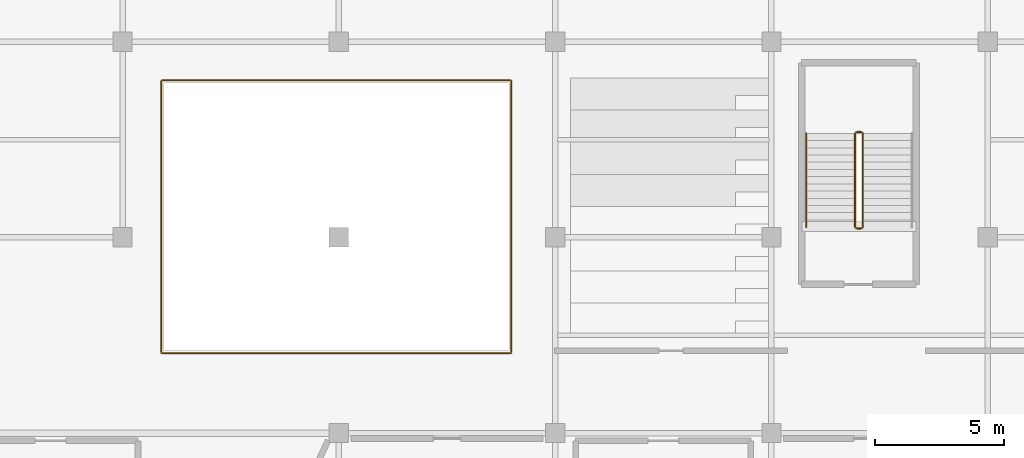
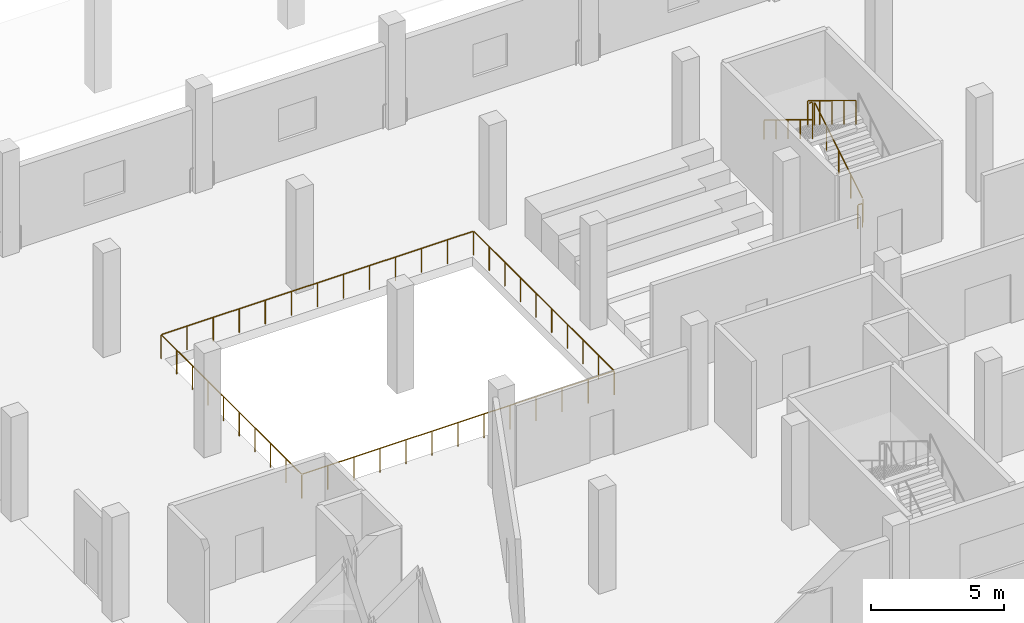
# One storey, part 39 of 51: 6 railings.
"""IFC4 building model written with IfcOpenShell, lengths in metres."""

from ifc_helpers import new_model, si_unit, direction, frame, origin, origin_2d, place, context, subcontext, project, spatial, circle, extrude, material, type_object, element, save


model = new_model("IFC4")

# Units and contexts
model_context = context("Model", 3, precision=1e-05, world=origin(), true_north=direction((0.0, 1.0)))
body_context = subcontext(model_context, "Body", "Model", "MODEL_VIEW")
ifc_project = project(units=[si_unit("LENGTHUNIT", "METRE"), si_unit("AREAUNIT", "SQUARE_METRE"), si_unit("VOLUMEUNIT", "CUBIC_METRE"), si_unit("PLANEANGLEUNIT", "RADIAN"), si_unit("MASSUNIT", "GRAM", prefix="KILO")], contexts=[model_context])

# Site, building, storey
site_placement = place(None, origin())
site = spatial("IfcSite", under=ifc_project, at=site_placement, CompositionType="ELEMENT")
building_placement = place(site_placement, origin())
building = spatial("IfcBuilding", under=site, at=building_placement, Name="Zuvorla Pavilion Media Centre", CompositionType="ELEMENT")
storey_placement = place(building_placement, frame((0.0, 0.0, 4.800048828125)))
storey = spatial("IfcBuildingStorey", under=building, at=storey_placement, Name="L01", CompositionType="ELEMENT", Elevation=4.800048828125)

# Railings
ifc_material_1 = material(Name="Powder-coated steel balustrade guard", Category="steel")
railing_type_1 = type_object("IfcRailingType", Name="RL-INT-GRD", PredefinedType="BALUSTRADE", material=ifc_material_1)
railing_1_placement = place(storey_placement, frame((103.949951171875, 29.199951171875, 0.17138671875)))
element("IfcRailing", 1, at=railing_1_placement, inside=storey, type_object=railing_type_1, Name="L01 ST-04 stair guard 1", PredefinedType="BALUSTRADE", context=body_context, shape_type="SweptSolid", body=[
    extrude(circle(Radius=0.02392578125, at=origin_2d()), frame((0.0, 0.024658203125, 1.111083984375), z_axis=(0.0, 0.852865859571, 0.52213008492), x_axis=(-1.0, 0.0, 0.0)), (0.0, 0.0, 1.0), 4.21044921875),
    extrude(circle(Radius=0.02099609375, at=origin_2d()), origin(), (0.0, 0.0, 1.0), 1.070068359375),
    extrude(circle(Radius=0.02099609375, at=origin_2d()), frame((0.0, 0.91015625, 0.55712890625)), (0.0, 0.0, 1.0), 1.070068359375),
    extrude(circle(Radius=0.02099609375, at=origin_2d()), frame((0.0, 1.820068359375, 1.1142578125)), (0.0, 0.0, 1.0), 1.070068359375),
    extrude(circle(Radius=0.02099609375, at=origin_2d()), frame((0.0, 2.72998046875, 1.67138671875)), (0.0, 0.0, 1.0), 1.070068359375),
    extrude(circle(Radius=0.02099609375, at=origin_2d()), frame((0.0, 3.64013671875, 2.228515625)), (0.0, 0.0, 1.0), 1.070068359375),
])
railing_2_placement = place(storey_placement, frame((103.89990234375, 32.889892578125, 2.39990234375)))
element("IfcRailing", 2, at=railing_2_placement, inside=storey, type_object=railing_type_1, Name="L01 ST-04 stair guard 2", PredefinedType="BALUSTRADE", context=body_context, shape_type="SweptSolid", body=[
    extrude(circle(Radius=0.02392578125, at=origin_2d()), frame((-0.02880859375, 0.0, 1.09619140625), z_axis=(-1.0, 0.0, 0.0), x_axis=(0.0, -1.0, 0.0)), (0.0, 0.0, 1.0), 0.142333984375),
    extrude(circle(Radius=0.02099609375, at=origin_2d()), origin(), (0.0, 0.0, 1.0), 1.070068359375),
    extrude(circle(Radius=0.02099609375, at=origin_2d()), frame((-0.199951171875, 0.0, 0.0)), (0.0, 0.0, 1.0), 1.070068359375),
])
railing_3_placement = place(storey_placement, frame((103.64990234375, 32.840087890625, 2.5712890625)))
element("IfcRailing", 3, at=railing_3_placement, inside=storey, type_object=railing_type_1, Name="L01 ST-04 stair guard 3", PredefinedType="BALUSTRADE", context=body_context, shape_type="SweptSolid", body=[
    extrude(circle(Radius=0.02392578125, at=origin_2d()), frame((0.0, -0.024658203125, 1.111083984375), z_axis=(0.0, -0.852840387347, 0.522171689878), x_axis=(1.0, 0.0, 0.0)), (0.0, 0.0, 1.0), 4.21044921875),
    extrude(circle(Radius=0.02099609375, at=origin_2d()), origin(), (0.0, 0.0, 1.0), 1.070068359375),
    extrude(circle(Radius=0.02099609375, at=origin_2d()), frame((0.0, -0.91015625, 0.55712890625)), (0.0, 0.0, 1.0), 1.070068359375),
    extrude(circle(Radius=0.02099609375, at=origin_2d()), frame((0.0, -1.820068359375, 1.1142578125)), (0.0, 0.0, 1.0), 1.070068359375),
    extrude(circle(Radius=0.02099609375, at=origin_2d()), frame((0.0, -2.72998046875, 1.671630859375)), (0.0, 0.0, 1.0), 1.070068359375),
    extrude(circle(Radius=0.02099609375, at=origin_2d()), frame((0.0, -3.64013671875, 2.228759765625)), (0.0, 0.0, 1.0), 1.070068359375),
])
railing_4_placement = place(storey_placement, frame((103.89990234375, 29.14990234375, 0.0)))
element("IfcRailing", 4, at=railing_4_placement, inside=storey, type_object=railing_type_1, Name="L01 ST-04 stair guard 4", PredefinedType="BALUSTRADE", context=body_context, shape_type="SweptSolid", body=[
    extrude(circle(Radius=0.02392578125, at=origin_2d()), frame((-0.02880859375, 0.0, 1.09619140625), z_axis=(-1.0, 0.0, 0.0), x_axis=(0.0, -1.0, 0.0)), (0.0, 0.0, 1.0), 0.142333984375),
    extrude(circle(Radius=0.02099609375, at=origin_2d()), origin(), (0.0, 0.0, 1.0), 1.070068359375),
    extrude(circle(Radius=0.02099609375, at=origin_2d()), frame((-0.199951171875, 0.0, 0.0)), (0.0, 0.0, 1.0), 1.070068359375),
])
railing_5_placement = place(storey_placement, frame((76.699951171875, 24.300048828125, 0.0)))
element("IfcRailing", 5, at=railing_5_placement, inside=storey, type_object=railing_type_1, Name="L01 scr2void edge guard", PredefinedType="BALUSTRADE", context=body_context, shape_type="SweptSolid", body=[
    extrude(circle(Radius=0.02392578125, at=origin_2d()), frame((0.02880859375, 0.0, 1.09619140625), z_axis=(1.0, 0.0, 0.0), x_axis=(0.0, 1.0, 0.0)), (0.0, 0.0, 1.0), 13.54248046875),
    extrude(circle(Radius=0.02392578125, at=origin_2d()), frame((13.60009765625, 0.02880859375, 1.09619140625), z_axis=(0.0, 1.0, 0.0), x_axis=(-1.0, 0.0, 0.0)), (0.0, 0.0, 1.0), 10.542236328125),
    extrude(circle(Radius=0.02392578125, at=origin_2d()), frame((13.5712890625, 10.599853515625, 1.09619140625), z_axis=(-1.0, 0.0, 0.0), x_axis=(0.0, -1.0, 0.0)), (0.0, 0.0, 1.0), 13.54248046875),
    extrude(circle(Radius=0.02392578125, at=origin_2d()), frame((0.0, 10.571044921875, 1.09619140625), z_axis=(0.0, -1.0, 0.0), x_axis=(1.0, 0.0, 0.0)), (0.0, 0.0, 1.0), 10.542236328125),
    extrude(circle(Radius=0.02099609375, at=origin_2d()), origin(), (0.0, 0.0, 1.0), 1.070068359375),
    extrude(circle(Radius=0.02099609375, at=origin_2d()), frame((1.13330078125, 0.0, 0.0)), (0.0, 0.0, 1.0), 1.070068359375),
    extrude(circle(Radius=0.02099609375, at=origin_2d()), frame((2.2666015625, 0.0, 0.0)), (0.0, 0.0, 1.0), 1.070068359375),
    extrude(circle(Radius=0.02099609375, at=origin_2d()), frame((3.39990234375, 0.0, 0.0)), (0.0, 0.0, 1.0), 1.070068359375),
    extrude(circle(Radius=0.02099609375, at=origin_2d()), frame((4.533447265625, 0.0, 0.0)), (0.0, 0.0, 1.0), 1.070068359375),
    extrude(circle(Radius=0.02099609375, at=origin_2d()), frame((5.666748046875, 0.0, 0.0)), (0.0, 0.0, 1.0), 1.070068359375),
    extrude(circle(Radius=0.02099609375, at=origin_2d()), frame((6.800048828125, 0.0, 0.0)), (0.0, 0.0, 1.0), 1.070068359375),
    extrude(circle(Radius=0.02099609375, at=origin_2d()), frame((7.933349609375, 0.0, 0.0)), (0.0, 0.0, 1.0), 1.070068359375),
    extrude(circle(Radius=0.02099609375, at=origin_2d()), frame((9.066650390625, 0.0, 0.0)), (0.0, 0.0, 1.0), 1.070068359375),
    extrude(circle(Radius=0.02099609375, at=origin_2d()), frame((10.2001953125, 0.0, 0.0)), (0.0, 0.0, 1.0), 1.070068359375),
    extrude(circle(Radius=0.02099609375, at=origin_2d()), frame((11.33349609375, 0.0, 0.0)), (0.0, 0.0, 1.0), 1.070068359375),
    extrude(circle(Radius=0.02099609375, at=origin_2d()), frame((12.466796875, 0.0, 0.0)), (0.0, 0.0, 1.0), 1.070068359375),
    extrude(circle(Radius=0.02099609375, at=origin_2d()), frame((13.60009765625, 0.0, 0.0)), (0.0, 0.0, 1.0), 1.070068359375),
    extrude(circle(Radius=0.02099609375, at=origin_2d()), frame((13.60009765625, 1.177734375, 0.0)), (0.0, 0.0, 1.0), 1.070068359375),
    extrude(circle(Radius=0.02099609375, at=origin_2d()), frame((13.60009765625, 2.35546875, 0.0)), (0.0, 0.0, 1.0), 1.070068359375),
    extrude(circle(Radius=0.02099609375, at=origin_2d()), frame((13.60009765625, 3.533203125, 0.0)), (0.0, 0.0, 1.0), 1.070068359375),
    extrude(circle(Radius=0.02099609375, at=origin_2d()), frame((13.60009765625, 4.7109375, 0.0)), (0.0, 0.0, 1.0), 1.070068359375),
    extrude(circle(Radius=0.02099609375, at=origin_2d()), frame((13.60009765625, 5.888916015625, 0.0)), (0.0, 0.0, 1.0), 1.070068359375),
    extrude(circle(Radius=0.02099609375, at=origin_2d()), frame((13.60009765625, 7.066650390625, 0.0)), (0.0, 0.0, 1.0), 1.070068359375),
    extrude(circle(Radius=0.02099609375, at=origin_2d()), frame((13.60009765625, 8.244384765625, 0.0)), (0.0, 0.0, 1.0), 1.070068359375),
    extrude(circle(Radius=0.02099609375, at=origin_2d()), frame((13.60009765625, 9.422119140625, 0.0)), (0.0, 0.0, 1.0), 1.070068359375),
    extrude(circle(Radius=0.02099609375, at=origin_2d()), frame((13.60009765625, 10.599853515625, 0.0)), (0.0, 0.0, 1.0), 1.070068359375),
    extrude(circle(Radius=0.02099609375, at=origin_2d()), frame((12.466796875, 10.599853515625, 0.0)), (0.0, 0.0, 1.0), 1.070068359375),
    extrude(circle(Radius=0.02099609375, at=origin_2d()), frame((11.33349609375, 10.599853515625, 0.0)), (0.0, 0.0, 1.0), 1.070068359375),
    extrude(circle(Radius=0.02099609375, at=origin_2d()), frame((10.2001953125, 10.599853515625, 0.0)), (0.0, 0.0, 1.0), 1.070068359375),
    extrude(circle(Radius=0.02099609375, at=origin_2d()), frame((9.066650390625, 10.599853515625, 0.0)), (0.0, 0.0, 1.0), 1.070068359375),
    extrude(circle(Radius=0.02099609375, at=origin_2d()), frame((7.933349609375, 10.599853515625, 0.0)), (0.0, 0.0, 1.0), 1.070068359375),
    extrude(circle(Radius=0.02099609375, at=origin_2d()), frame((6.800048828125, 10.599853515625, 0.0)), (0.0, 0.0, 1.0), 1.070068359375),
    extrude(circle(Radius=0.02099609375, at=origin_2d()), frame((5.666748046875, 10.599853515625, 0.0)), (0.0, 0.0, 1.0), 1.070068359375),
    extrude(circle(Radius=0.02099609375, at=origin_2d()), frame((4.533447265625, 10.599853515625, 0.0)), (0.0, 0.0, 1.0), 1.070068359375),
    extrude(circle(Radius=0.02099609375, at=origin_2d()), frame((3.39990234375, 10.599853515625, 0.0)), (0.0, 0.0, 1.0), 1.070068359375),
    extrude(circle(Radius=0.02099609375, at=origin_2d()), frame((2.2666015625, 10.599853515625, 0.0)), (0.0, 0.0, 1.0), 1.070068359375),
    extrude(circle(Radius=0.02099609375, at=origin_2d()), frame((1.13330078125, 10.599853515625, 0.0)), (0.0, 0.0, 1.0), 1.070068359375),
    extrude(circle(Radius=0.02099609375, at=origin_2d()), frame((0.0, 10.599853515625, 0.0)), (0.0, 0.0, 1.0), 1.070068359375),
    extrude(circle(Radius=0.02099609375, at=origin_2d()), frame((0.0, 9.422119140625, 0.0)), (0.0, 0.0, 1.0), 1.070068359375),
    extrude(circle(Radius=0.02099609375, at=origin_2d()), frame((0.0, 8.244384765625, 0.0)), (0.0, 0.0, 1.0), 1.070068359375),
    extrude(circle(Radius=0.02099609375, at=origin_2d()), frame((0.0, 7.066650390625, 0.0)), (0.0, 0.0, 1.0), 1.070068359375),
    extrude(circle(Radius=0.02099609375, at=origin_2d()), frame((0.0, 5.888916015625, 0.0)), (0.0, 0.0, 1.0), 1.070068359375),
    extrude(circle(Radius=0.02099609375, at=origin_2d()), frame((0.0, 4.7109375, 0.0)), (0.0, 0.0, 1.0), 1.070068359375),
    extrude(circle(Radius=0.02099609375, at=origin_2d()), frame((0.0, 3.533203125, 0.0)), (0.0, 0.0, 1.0), 1.070068359375),
    extrude(circle(Radius=0.02099609375, at=origin_2d()), frame((0.0, 2.35546875, 0.0)), (0.0, 0.0, 1.0), 1.070068359375),
    extrude(circle(Radius=0.02099609375, at=origin_2d()), frame((0.0, 1.177734375, 0.0)), (0.0, 0.0, 1.0), 1.070068359375),
])
ifc_material_2 = material(Name="Brushed stainless steel tubular handrail", Category="steel")
railing_type_2 = type_object("IfcRailingType", Name="RL-INT-HND", PredefinedType="HANDRAIL", material=ifc_material_2)
railing_6_placement = place(storey_placement, frame((101.75, 32.840087890625, 2.5712890625)))
element("IfcRailing", 6, at=railing_6_placement, inside=storey, type_object=railing_type_2, Name="L01 ST-04 handrail 2", PredefinedType="HANDRAIL", context=body_context, shape_type="SweptSolid", body=[
    extrude(circle(Radius=0.02392578125, at=origin_2d()), frame((0.0, -0.024658203125, 0.890869140625), z_axis=(0.0, -0.852840387347, 0.522171689878), x_axis=(1.0, 0.0, 0.0)), (0.0, 0.0, 1.0), 4.21044921875),
    extrude(circle(Radius=0.02099609375, at=origin_2d()), origin(), (0.0, 0.0, 1.0), 0.849853515625),
    extrude(circle(Radius=0.02099609375, at=origin_2d()), frame((0.0, -0.91015625, 0.55712890625)), (0.0, 0.0, 1.0), 0.849853515625),
    extrude(circle(Radius=0.02099609375, at=origin_2d()), frame((0.0, -1.820068359375, 1.1142578125)), (0.0, 0.0, 1.0), 0.849853515625),
    extrude(circle(Radius=0.02099609375, at=origin_2d()), frame((0.0, -2.72998046875, 1.671630859375)), (0.0, 0.0, 1.0), 0.849853515625),
    extrude(circle(Radius=0.02099609375, at=origin_2d()), frame((0.0, -3.64013671875, 2.228759765625)), (0.0, 0.0, 1.0), 0.849853515625),
])

save(model, "model.ifc")
